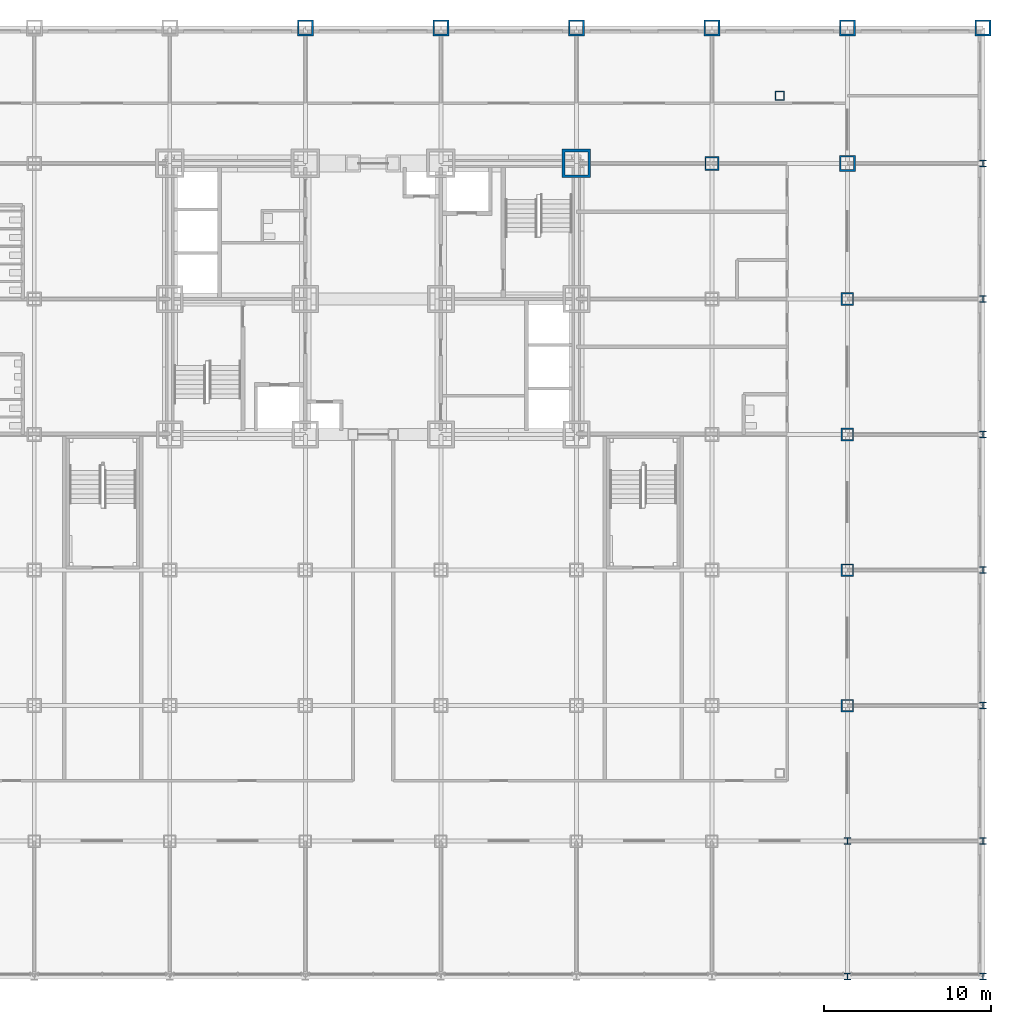
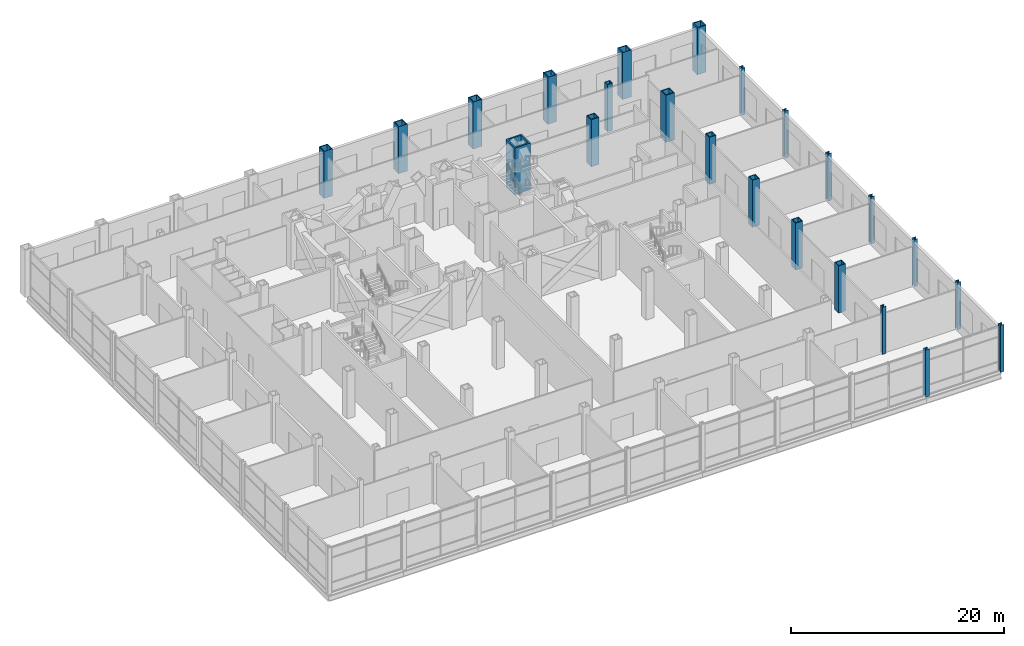
# One storey, part 8 of 30: 23 columns.
"""IFC4 building model written with IfcOpenShell, lengths in metres."""

from ifc_helpers import new_model, si_unit, direction, frame, origin, origin_2d, place, context, subcontext, project, spatial, hollow_rectangle, i_section, extrude, material, material_profile, profile_set, type_object, element, save


model = new_model("IFC4")

# Units and contexts
model_context = context("Model", 3, precision=1e-05, world=origin(), true_north=direction((0.0, 1.0)))
body_context = subcontext(model_context, "Body", "Model", "MODEL_VIEW")
ifc_project = project(units=[si_unit("LENGTHUNIT", "METRE"), si_unit("AREAUNIT", "SQUARE_METRE"), si_unit("VOLUMEUNIT", "CUBIC_METRE"), si_unit("PLANEANGLEUNIT", "RADIAN"), si_unit("MASSUNIT", "GRAM", prefix="KILO")], contexts=[model_context])

# Site, building, storey
site_placement = place(None, origin())
site = spatial("IfcSite", under=ifc_project, at=site_placement, CompositionType="ELEMENT")
building_placement = place(site_placement, origin())
building = spatial("IfcBuilding", under=site, at=building_placement, Name="Kopane Lantern Tower", CompositionType="ELEMENT")
storey_placement = place(building_placement, frame((0.0, 0.0, 6.0)))
storey = spatial("IfcBuildingStorey", under=building, at=storey_placement, Name="L01", CompositionType="ELEMENT", Elevation=6.0)

# Columns
ifc_material_1 = material(Name="Steel S355JR", Category="steel")
ifc_material_profile_1 = material_profile(ifc_material_1, hollow_rectangle(XDim=1.699951171875, YDim=1.699951171875, WallThickness=0.159912109375, at=origin_2d()), Name="BOX 1700x1700x160")
ifc_profile_set_1 = profile_set([ifc_material_profile_1], Name="Steel S355JR")
column_type_1 = type_object("IfcColumnType", Name="COLUMN BOX 1700x1700x160", PredefinedType="COLUMN", material=ifc_profile_set_1)
column_1_placement = place(storey_placement, frame((40.5, 40.5, 0.0), z_axis=(0.0, 0.0, 1.0), x_axis=(1.0, 0.0, 0.0)))
element("IfcColumn", 1, at=column_1_placement, inside=storey, type_object=column_type_1, Name="Column 7/G L01", PredefinedType="COLUMN", context=body_context, shape_type="SweptSolid", body=[
    extrude(hollow_rectangle(XDim=1.699951171875, YDim=1.699951171875, WallThickness=0.159912109375, at=origin_2d()), origin(), (0.0, 0.0, 1.0), 5.39990234375),
])
ifc_material_2 = material(Name="Steel S355JR", Category="steel")
ifc_material_profile_2 = material_profile(ifc_material_2, hollow_rectangle(XDim=0.550048828125, YDim=0.550048828125, WallThickness=0.050048828125, at=origin_2d()), Name="BOX 550x550x50")
ifc_profile_set_2 = profile_set([ifc_material_profile_2], Name="Steel S355JR")
column_type_2 = type_object("IfcColumnType", Name="COLUMN BOX 550x550x50", PredefinedType="COLUMN", material=ifc_profile_set_2)
column_2_placement = place(storey_placement, frame((52.64990234375, 44.550048828125, 0.0), z_axis=(0.0, 0.0, 1.0), x_axis=(1.0, 0.0, 0.0)))
element("IfcColumn", 2, at=column_2_placement, inside=storey, type_object=column_type_2, Name="Column 52.65/44.55 L01", PredefinedType="COLUMN", context=body_context, shape_type="SweptSolid", body=[
    extrude(hollow_rectangle(XDim=0.550048828125, YDim=0.550048828125, WallThickness=0.050048828125, at=origin_2d()), origin(), (0.0, 0.0, 1.0), 5.39990234375),
])
ifc_material_3 = material(Name="Steel S355JR", Category="steel")
ifc_material_profile_3 = material_profile(ifc_material_3, hollow_rectangle(XDim=0.75, YDim=0.75, WallThickness=0.070068359375, at=origin_2d()), Name="BOX 750x750x70")
ifc_profile_set_3 = profile_set([ifc_material_profile_3], Name="Steel S355JR")
column_type_3 = type_object("IfcColumnType", Name="COLUMN BOX 750x750x70", PredefinedType="COLUMN", material=ifc_profile_set_3)
for number, where, z_axis, x_axis, name in (
    (3, (56.699951171875, 8.10009765625, 0.0), (0.0, 0.0, 1.0), (1.0, 0.0, 0.0), "Column 9/C L01"),
    (4, (56.699951171875, 16.199951171875, 0.0), (0.0, 0.0, 1.0), (1.0, 0.0, 0.0), "Column 9/D L01"),
    (5, (56.699951171875, 24.300048828125, 0.0), (0.0, 0.0, 1.0), (1.0, 0.0, 0.0), "Column 9/E L01"),
    (6, (56.699951171875, 32.39990234375, 0.0), (0.0, 0.0, 1.0), (1.0, 0.0, 0.0), "Column 9/F L01"),
):
    element("IfcColumn", number, at=place(storey_placement, frame(where, z_axis=z_axis, x_axis=x_axis)), inside=storey, type_object=column_type_3, Name=name, PredefinedType="COLUMN", context=body_context, shape_type="SweptSolid", body=[
        extrude(hollow_rectangle(XDim=0.75, YDim=0.75, WallThickness=0.070068359375, at=origin_2d()), origin(), (0.0, 0.0, 1.0), 5.39990234375),
    ])
ifc_material_4 = material(Name="Steel S355JR", Category="steel")
ifc_material_profile_4 = material_profile(ifc_material_4, hollow_rectangle(XDim=0.85009765625, YDim=0.85009765625, WallThickness=0.0849609375, at=origin_2d()), Name="BOX 850x850x85")
ifc_profile_set_4 = profile_set([ifc_material_profile_4], Name="Steel S355JR")
column_type_4 = type_object("IfcColumnType", Name="COLUMN BOX 850x850x85", PredefinedType="COLUMN", material=ifc_profile_set_4)
column_3_placement = place(storey_placement, frame((48.60009765625, 40.5, 0.0), z_axis=(0.0, 0.0, 1.0), x_axis=(1.0, 0.0, 0.0)))
element("IfcColumn", 7, at=column_3_placement, inside=storey, type_object=column_type_4, Name="Column 8/G L01", PredefinedType="COLUMN", context=body_context, shape_type="SweptSolid", body=[
    extrude(hollow_rectangle(XDim=0.85009765625, YDim=0.85009765625, WallThickness=0.0849609375, at=origin_2d()), origin(), (0.0, 0.0, 1.0), 5.39990234375),
])
ifc_material_5 = material(Name="Steel S355JR", Category="steel")
ifc_material_profile_5 = material_profile(ifc_material_5, hollow_rectangle(XDim=0.949951171875, YDim=0.949951171875, WallThickness=0.10009765625, at=origin_2d()), Name="BOX 950x950x100")
ifc_profile_set_5 = profile_set([ifc_material_profile_5], Name="Steel S355JR")
column_type_5 = type_object("IfcColumnType", Name="COLUMN BOX 950x950x100", PredefinedType="COLUMN", material=ifc_profile_set_5)
for number, where, z_axis, x_axis, name in (
    (8, (24.300048828125, 48.60009765625, 0.0), (0.0, 0.0, 1.0), (1.0, 0.0, 0.0), "Column 5/H L01"),
    (9, (32.39990234375, 48.60009765625, 0.0), (0.0, 0.0, 1.0), (1.0, 0.0, 0.0), "Column 6/H L01"),
    (10, (40.5, 48.60009765625, 0.0), (0.0, 0.0, 1.0), (1.0, 0.0, 0.0), "Column 7/H L01"),
    (11, (48.60009765625, 48.60009765625, 0.0), (0.0, 0.0, 1.0), (1.0, 0.0, 0.0), "Column 8/H L01"),
    (12, (56.699951171875, 40.5, 0.0), (0.0, 0.0, 1.0), (1.0, 0.0, 0.0), "Column 9/G L01"),
    (13, (56.699951171875, 48.60009765625, 0.0), (0.0, 0.0, 1.0), (1.0, 0.0, 0.0), "Column 9/H L01"),
    (14, (64.800048828125, 48.60009765625, 0.0), (0.0, 0.0, 1.0), (1.0, 0.0, 0.0), "Column 10/H L01"),
):
    element("IfcColumn", number, at=place(storey_placement, frame(where, z_axis=z_axis, x_axis=x_axis)), inside=storey, type_object=column_type_5, Name=name, PredefinedType="COLUMN", context=body_context, shape_type="SweptSolid", body=[
        extrude(hollow_rectangle(XDim=0.949951171875, YDim=0.949951171875, WallThickness=0.10009765625, at=origin_2d()), origin(), (0.0, 0.0, 1.0), 5.39990234375),
    ])
ifc_material_6 = material(Name="Steel S355JR", Category="steel")
ifc_material_profile_6 = material_profile(ifc_material_6, i_section(OverallWidth=0.403076171875, OverallDepth=0.406494140625, WebThickness=0.026611328125, FlangeThickness=0.04296875, FilletRadius=0.01513671875, at=origin_2d()), Name="UC 356x406x340")
ifc_profile_set_6 = profile_set([ifc_material_profile_6], Name="Steel S355JR")
column_type_6 = type_object("IfcColumnType", Name="COLUMN UC 356x406x340", PredefinedType="COLUMN", material=ifc_profile_set_6)
for number, where, z_axis, x_axis, name in (
    (15, (56.699951171875, -8.10009765625, 0.0), (0.0, 0.0, 1.0), (1.0, 0.0, 0.0), "Column 9/A L01"),
    (16, (56.699951171875, 0.0, 0.0), (0.0, 0.0, 1.0), (1.0, 0.0, 0.0), "Column 9/B L01"),
    (17, (64.800048828125, -8.10009765625, 0.0), (0.0, 0.0, 1.0), (1.0, 0.0, 0.0), "Column 10/A L01"),
    (18, (64.800048828125, 0.0, 0.0), (0.0, 0.0, 1.0), (1.0, 0.0, 0.0), "Column 10/B L01"),
    (19, (64.800048828125, 8.10009765625, 0.0), (0.0, 0.0, 1.0), (1.0, 0.0, 0.0), "Column 10/C L01"),
    (20, (64.800048828125, 16.199951171875, 0.0), (0.0, 0.0, 1.0), (1.0, 0.0, 0.0), "Column 10/D L01"),
    (21, (64.800048828125, 24.300048828125, 0.0), (0.0, 0.0, 1.0), (1.0, 0.0, 0.0), "Column 10/E L01"),
    (22, (64.800048828125, 32.39990234375, 0.0), (0.0, 0.0, 1.0), (1.0, 0.0, 0.0), "Column 10/F L01"),
    (23, (64.800048828125, 40.5, 0.0), (0.0, 0.0, 1.0), (1.0, 0.0, 0.0), "Column 10/G L01"),
):
    element("IfcColumn", number, at=place(storey_placement, frame(where, z_axis=z_axis, x_axis=x_axis)), inside=storey, type_object=column_type_6, Name=name, PredefinedType="COLUMN", context=body_context, shape_type="SweptSolid", body=[
        extrude(i_section(OverallWidth=0.403076171875, OverallDepth=0.406494140625, WebThickness=0.026611328125, FlangeThickness=0.04296875, FilletRadius=0.01513671875, at=origin_2d()), origin(), (0.0, 0.0, 1.0), 5.39990234375),
    ])

save(model, "model.ifc")
